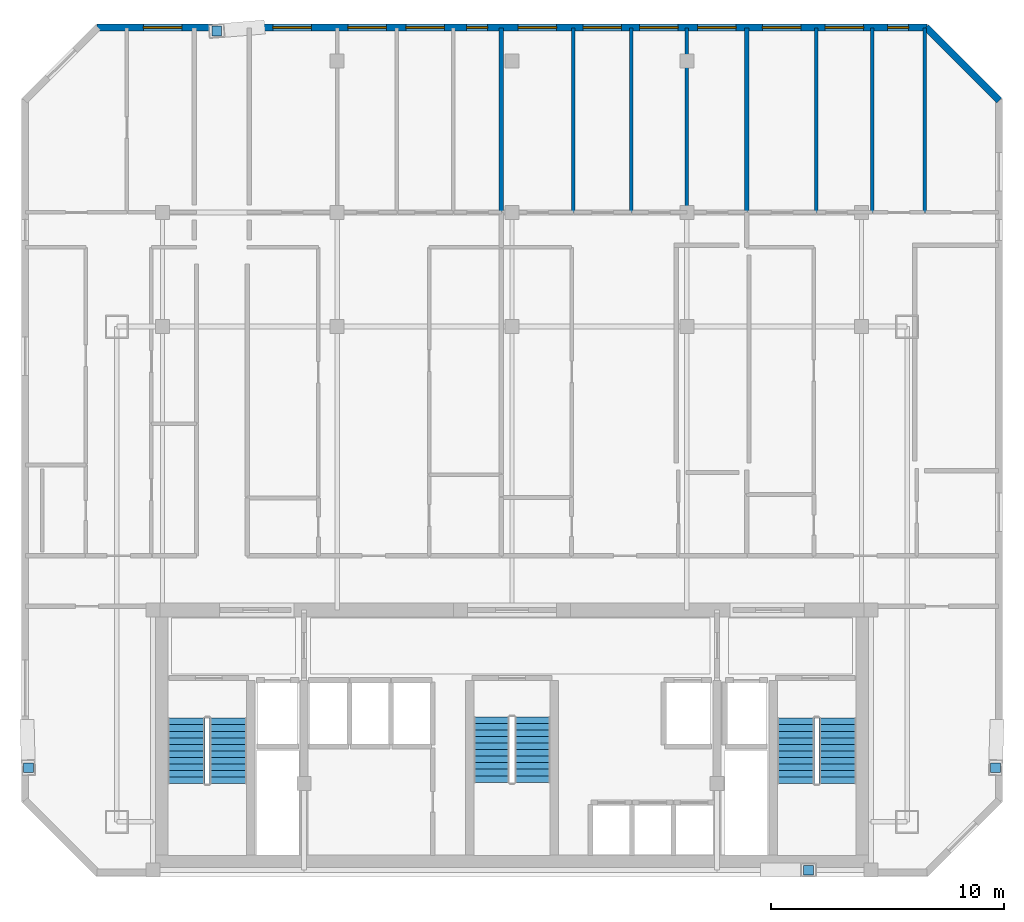
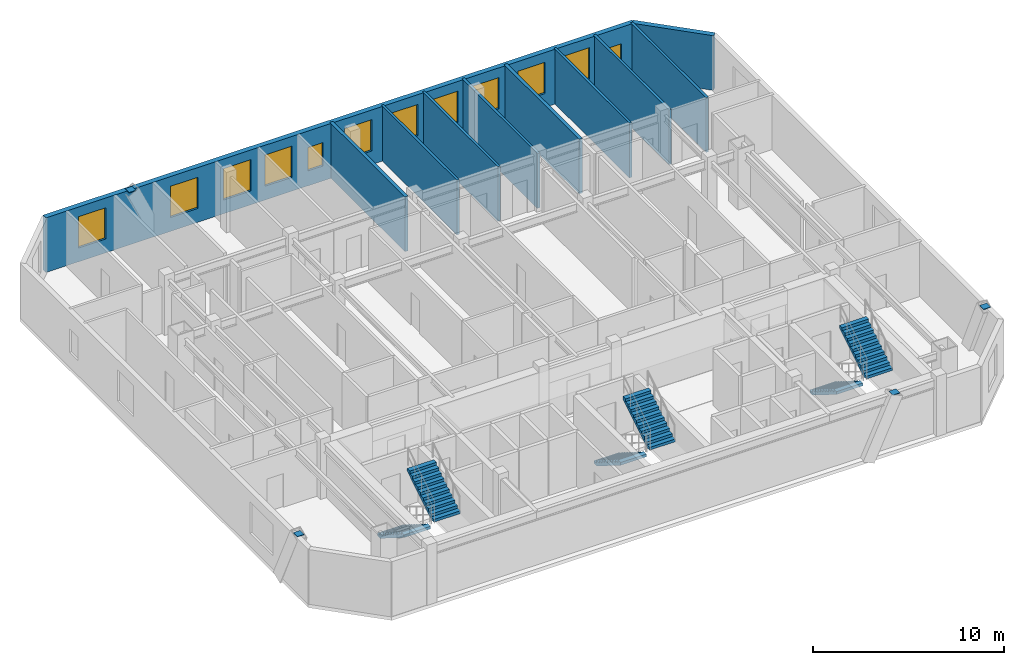
# One storey, part 6 of 7: 12 windows, 10 walls, 6 stair flights, 4 discrete accessories, 12 openings, 3 elements without a shape of their own.
"""IFC4 building model written with IfcOpenShell, lengths in metres."""

from ifc_helpers import new_model, si_unit, direction, frame, frame_2d, origin, origin_2d, place, context, subcontext, project, spatial, polyline, rectangle, outline, extrude, material, layer, layer_set, type_object, element, fill, aggregate, save


model = new_model("IFC4")

# Units and contexts
model_context = context("Model", 3, precision=1e-05, world=origin(), true_north=direction((0.0, 1.0)))
body_context = subcontext(model_context, "Body", "Model", "MODEL_VIEW")
ifc_project = project(units=[si_unit("LENGTHUNIT", "METRE"), si_unit("AREAUNIT", "SQUARE_METRE"), si_unit("VOLUMEUNIT", "CUBIC_METRE"), si_unit("PLANEANGLEUNIT", "RADIAN"), si_unit("MASSUNIT", "GRAM", prefix="KILO")], contexts=[model_context])

# Site, building, storey
site_placement = place(None, origin())
site = spatial("IfcSite", under=ifc_project, at=site_placement, CompositionType="ELEMENT")
building_placement = place(site_placement, origin())
building = spatial("IfcBuilding", under=site, at=building_placement, Name="Ventersveld Concourse Tower", CompositionType="ELEMENT")
storey_placement = place(building_placement, frame((0.0, 0.0, 242.64990234375)))
storey = spatial("IfcBuildingStorey", under=building, at=storey_placement, Name="L60", CompositionType="ELEMENT", Elevation=242.64990234375)

# Walls
ifc_material_1 = material(Name="Fire-rated autoclaved aerated masonry blockwork", Category="masonry")
ifc_layer_1 = layer(ifc_material_1, 0.199951171875)
ifc_layer_set_1 = layer_set([ifc_layer_1], Name="Fire-rated autoclaved aerated masonry blockwork")
wall_type_1 = type_object("IfcWallType", Name="WL-DEMISE-200", PredefinedType="PARTITIONING", material=ifc_layer_set_1)
for number, where, z_axis, x_axis, name in (
    (1, (28.2880859375, 28.534912109375, 0.0), (0.0, 0.0, 1.0), (0.0, 1.0, 0.0), "L60 Interior Partition SP-L60-60N1-BR4-SP-L60-60N2-BR1"),
    (2, (38.823486328125, 28.534912109375, 0.0), (0.0, 0.0, 1.0), (0.0, 1.0, 0.0), "L60 Interior Partition SP-L60-60N2-BR4-SP-L60-60N3-BR1"),
):
    element("IfcWall", number, at=place(storey_placement, frame(where, z_axis=z_axis, x_axis=x_axis)), inside=storey, type_object=wall_type_1, Name=name, PredefinedType="PARTITIONING", context=body_context, shape_type="SweptSolid", body=[
        extrude(rectangle(XDim=7.875732421875, YDim=0.199951171875, at=frame_2d((3.93798828125, 0.0))), origin(), (0.0, 0.0, 1.0), 3.5),
    ])
ifc_material_2 = material(Name="Autoclaved aerated masonry blockwork", Category="masonry")
ifc_layer_2 = layer(ifc_material_2, 0.14990234375)
ifc_layer_set_2 = layer_set([ifc_layer_2], Name="Autoclaved aerated masonry blockwork")
wall_type_2 = type_object("IfcWallType", Name="WL-INT-150", PredefinedType="PARTITIONING", material=ifc_layer_set_2)
for number, where, z_axis, x_axis, name in (
    (3, (31.382080078125, 28.4951171875, 0.0), (0.0, 0.0, 1.0), (0.0, 1.0, 0.0), "L60 Interior Partition SP-L60-60N2-BR1-SP-L60-60N2-BR2"),
    (4, (33.862548828125, 28.4951171875, 0.0), (0.0, 0.0, 1.0), (0.0, 1.0, 0.0), "L60 Interior Partition SP-L60-60N2-BR2-SP-L60-60N2-BR3"),
    (5, (36.25, 28.4951171875, 0.0), (0.0, 0.0, 1.0), (0.0, 1.0, 0.0), "L60 Interior Partition SP-L60-60N2-BR3-SP-L60-60N2-BR4"),
    (6, (41.81005859375, 28.4951171875, 0.0), (0.0, 0.0, 1.0), (0.0, 1.0, 0.0), "L60 Interior Partition SP-L60-60N3-BR1-SP-L60-60N3-BR2"),
    (7, (44.20556640625, 28.4951171875, 0.0), (0.0, 0.0, 1.0), (0.0, 1.0, 0.0), "L60 Interior Partition SP-L60-60N3-BR2-SP-L60-60N3-BR3"),
    (8, (46.45361328125, 28.4951171875, 0.0), (0.0, 0.0, 1.0), (0.0, 1.0, 0.0), "L60 Interior Partition SP-L60-60N3-BR3-SP-L60-60N3-BR4"),
):
    element("IfcWall", number, at=place(storey_placement, frame(where, z_axis=z_axis, x_axis=x_axis)), inside=storey, type_object=wall_type_2, Name=name, PredefinedType="PARTITIONING", context=body_context, shape_type="SweptSolid", body=[
        extrude(rectangle(XDim=7.91552734375, YDim=0.14990234375, at=frame_2d((3.957763671875, 0.0))), origin(), (0.0, 0.0, 1.0), 3.5),
    ])
ifc_material_3 = material(Name="Precast concrete C45/55", Category="concrete")
ifc_layer_3 = layer(ifc_material_3, 0.300048828125)
ifc_layer_set_3 = layer_set([ifc_layer_3], Name="Precast concrete C45/55")
wall_type_3 = type_object("IfcWallType", Name="WL-PREC-300", PredefinedType="SOLIDWALL", material=ifc_layer_set_3)
wall_1_placement = place(storey_placement, frame((49.65234375, 33.305419921875, 0.0), z_axis=(0.0, 0.0, 1.0), x_axis=(-0.707134240044, 0.707079321262, 0.0)))
element("IfcWall", 9, at=wall_1_placement, inside=storey, type_object=wall_type_3, Name="L60 Highveld Precast Facade Wall E04", PredefinedType="SOLIDWALL", context=body_context, shape_type="SweptSolid", body=[
    extrude(rectangle(XDim=4.445556640625, YDim=0.300048828125, at=frame_2d((2.22265625, 0.0))), origin(), (0.0, 0.0, 1.0), 3.5),
])

# Wall, openings, windows
wall_2_placement = place(storey_placement, frame((46.546630859375, 36.43310546875, 0.0), z_axis=(0.0, 0.0, 1.0), x_axis=(-1.0, 0.0, 0.0)))
wall_2 = element("IfcWall", 10, at=wall_2_placement, inside=storey, type_object=wall_type_3, Name="L60 Highveld Precast Facade Wall E05", PredefinedType="SOLIDWALL", context=body_context, shape_type="SweptSolid", body=[
    extrude(rectangle(XDim=35.59326171875, YDim=0.300048828125, at=frame_2d((17.796630859375, 0.0))), origin(), (0.0, 0.0, 1.0), 3.5),
])
opening_1_placement = place(wall_2_placement, frame((31.9658203125, 0.0, 0.8798828125)))
opening_1 = element("IfcOpeningElement", 11, at=opening_1_placement, cuts=wall_2, Name="Opening W6", PredefinedType="OPENING", context=body_context, shape_type="SweptSolid", body=[
    extrude(rectangle(XDim=1.64990234375, YDim=2.0, at=frame_2d((0.824951171875, 1.0))), frame((0.0, 0.16015625, 0.0), z_axis=(0.0, -1.0, 0.0), x_axis=(1.0, 0.0, 0.0)), (0.0, 0.0, 1.0), 0.320068359375),
])
opening_2_placement = place(wall_2_placement, frame((26.401611328125, 0.0, 0.8798828125)))
opening_2 = element("IfcOpeningElement", 12, at=opening_2_placement, cuts=wall_2, Name="Opening W6", PredefinedType="OPENING", context=body_context, shape_type="SweptSolid", body=[
    extrude(rectangle(XDim=1.64990234375, YDim=2.0, at=frame_2d((0.824951171875, 1.0))), frame((0.0, 0.16015625, 0.0), z_axis=(0.0, -1.0, 0.0), x_axis=(1.0, 0.0, 0.0)), (0.0, 0.0, 1.0), 0.320068359375),
])
opening_3_placement = place(wall_2_placement, frame((23.18896484375, 0.0, 0.8798828125)))
opening_3 = element("IfcOpeningElement", 13, at=opening_3_placement, cuts=wall_2, Name="Opening W6", PredefinedType="OPENING", context=body_context, shape_type="SweptSolid", body=[
    extrude(rectangle(XDim=1.64990234375, YDim=2.0, at=frame_2d((0.824951171875, 1.0))), frame((0.0, 0.16015625, 0.0), z_axis=(0.0, -1.0, 0.0), x_axis=(1.0, 0.0, 0.0)), (0.0, 0.0, 1.0), 0.320068359375),
])
opening_4_placement = place(wall_2_placement, frame((20.702880859375, 0.0, 0.8798828125)))
opening_4 = element("IfcOpeningElement", 14, at=opening_4_placement, cuts=wall_2, Name="Opening W6", PredefinedType="OPENING", context=body_context, shape_type="SweptSolid", body=[
    extrude(rectangle(XDim=1.64990234375, YDim=2.0, at=frame_2d((0.824951171875, 1.0))), frame((0.0, 0.16015625, 0.0), z_axis=(0.0, -1.0, 0.0), x_axis=(1.0, 0.0, 0.0)), (0.0, 0.0, 1.0), 0.320068359375),
])
opening_5_placement = place(wall_2_placement, frame((18.841796875, 0.0, 0.949951171875)))
opening_5 = element("IfcOpeningElement", 15, at=opening_5_placement, cuts=wall_2, Name="Opening W4", PredefinedType="OPENING", context=body_context, shape_type="SweptSolid", body=[
    extrude(rectangle(XDim=0.89990234375, YDim=1.5, at=frame_2d((0.449951171875, 0.75))), frame((0.0, 0.16015625, 0.0), z_axis=(0.0, -1.0, 0.0), x_axis=(1.0, 0.0, 0.0)), (0.0, 0.0, 1.0), 0.320068359375),
])
opening_6_placement = place(wall_2_placement, frame((15.88671875, 0.0, 0.8798828125)))
opening_6 = element("IfcOpeningElement", 16, at=opening_6_placement, cuts=wall_2, Name="Opening W6", PredefinedType="OPENING", context=body_context, shape_type="SweptSolid", body=[
    extrude(rectangle(XDim=1.64990234375, YDim=2.0, at=frame_2d((0.824951171875, 1.0))), frame((0.0, 0.16015625, 0.0), z_axis=(0.0, -1.0, 0.0), x_axis=(1.0, 0.0, 0.0)), (0.0, 0.0, 1.0), 0.320068359375),
])
opening_7_placement = place(wall_2_placement, frame((13.099609375, 0.0, 0.8798828125)))
opening_7 = element("IfcOpeningElement", 17, at=opening_7_placement, cuts=wall_2, Name="Opening W6", PredefinedType="OPENING", context=body_context, shape_type="SweptSolid", body=[
    extrude(rectangle(XDim=1.64990234375, YDim=2.0, at=frame_2d((0.824951171875, 1.0))), frame((0.0, 0.16015625, 0.0), z_axis=(0.0, -1.0, 0.0), x_axis=(1.0, 0.0, 0.0)), (0.0, 0.0, 1.0), 0.320068359375),
])
opening_8_placement = place(wall_2_placement, frame((10.66552734375, 0.0, 0.8798828125)))
opening_8 = element("IfcOpeningElement", 18, at=opening_8_placement, cuts=wall_2, Name="Opening W6", PredefinedType="OPENING", context=body_context, shape_type="SweptSolid", body=[
    extrude(rectangle(XDim=1.64990234375, YDim=2.0, at=frame_2d((0.824951171875, 1.0))), frame((0.0, 0.16015625, 0.0), z_axis=(0.0, -1.0, 0.0), x_axis=(1.0, 0.0, 0.0)), (0.0, 0.0, 1.0), 0.320068359375),
])
opening_9_placement = place(wall_2_placement, frame((8.184814453125, 0.0, 0.8798828125)))
opening_9 = element("IfcOpeningElement", 19, at=opening_9_placement, cuts=wall_2, Name="Opening W6", PredefinedType="OPENING", context=body_context, shape_type="SweptSolid", body=[
    extrude(rectangle(XDim=1.64990234375, YDim=2.0, at=frame_2d((0.824951171875, 1.0))), frame((0.0, 0.16015625, 0.0), z_axis=(0.0, -1.0, 0.0), x_axis=(1.0, 0.0, 0.0)), (0.0, 0.0, 1.0), 0.320068359375),
])
opening_10_placement = place(wall_2_placement, frame((5.40478515625, 0.0, 0.8798828125)))
opening_10 = element("IfcOpeningElement", 20, at=opening_10_placement, cuts=wall_2, Name="Opening W6", PredefinedType="OPENING", context=body_context, shape_type="SweptSolid", body=[
    extrude(rectangle(XDim=1.64990234375, YDim=2.0, at=frame_2d((0.824951171875, 1.0))), frame((0.0, 0.16015625, 0.0), z_axis=(0.0, -1.0, 0.0), x_axis=(1.0, 0.0, 0.0)), (0.0, 0.0, 1.0), 0.320068359375),
])
opening_11_placement = place(wall_2_placement, frame((2.7138671875, 0.0, 0.8798828125)))
opening_11 = element("IfcOpeningElement", 21, at=opening_11_placement, cuts=wall_2, Name="Opening W6", PredefinedType="OPENING", context=body_context, shape_type="SweptSolid", body=[
    extrude(rectangle(XDim=1.64990234375, YDim=2.0, at=frame_2d((0.824951171875, 1.0))), frame((0.0, 0.16015625, 0.0), z_axis=(0.0, -1.0, 0.0), x_axis=(1.0, 0.0, 0.0)), (0.0, 0.0, 1.0), 0.320068359375),
])
opening_12_placement = place(wall_2_placement, frame((0.780029296875, 0.0, 0.949951171875)))
opening_12 = element("IfcOpeningElement", 22, at=opening_12_placement, cuts=wall_2, Name="Opening W4", PredefinedType="OPENING", context=body_context, shape_type="SweptSolid", body=[
    extrude(rectangle(XDim=0.89990234375, YDim=1.5, at=frame_2d((0.449951171875, 0.75))), frame((0.0, 0.16015625, 0.0), z_axis=(0.0, -1.0, 0.0), x_axis=(1.0, 0.0, 0.0)), (0.0, 0.0, 1.0), 0.320068359375),
])
ifc_material_4 = material(Name="Tempered acoustic Low-E IGU", Category="glass")
window_type_1 = type_object("IfcWindowType", Name="WIN-090x150", PartitioningType="SINGLE_PANEL", PredefinedType="WINDOW", material=ifc_material_4)
window_1_placement = place(opening_5_placement, origin())
window_1 = element("IfcWindow", 23, at=window_1_placement, inside=storey, type_object=window_type_1, Name="L60 Punched Low-E Window W-0868", OverallHeight=1.5, OverallWidth=0.89990234375, PartitioningType="SINGLE_PANEL", PredefinedType="WINDOW", context=body_context, shape_type="SweptSolid", body=[
    extrude(rectangle(XDim=0.89990234375, YDim=1.5, at=frame_2d((0.449951171875, 0.75))), frame((0.0, 0.030029296875, 0.0), z_axis=(0.0, -1.0, 0.0), x_axis=(1.0, 0.0, 0.0)), (0.0, 0.0, 1.0), 0.06005859375),
])
fill(opening_5, window_1)
window_2_placement = place(opening_12_placement, origin())
window_2 = element("IfcWindow", 24, at=window_2_placement, inside=storey, type_object=window_type_1, Name="L60 Punched Low-E Window W-0877", OverallHeight=1.5, OverallWidth=0.89990234375, PartitioningType="SINGLE_PANEL", PredefinedType="WINDOW", context=body_context, shape_type="SweptSolid", body=[
    extrude(rectangle(XDim=0.89990234375, YDim=1.5, at=frame_2d((0.449951171875, 0.75))), frame((0.0, 0.030029296875, 0.0), z_axis=(0.0, -1.0, 0.0), x_axis=(1.0, 0.0, 0.0)), (0.0, 0.0, 1.0), 0.06005859375),
])
fill(opening_12, window_2)
window_type_2 = type_object("IfcWindowType", Name="WIN-165x200", PartitioningType="SINGLE_PANEL", PredefinedType="WINDOW", material=ifc_material_4)
window_3_placement = place(opening_1_placement, origin())
window_3 = element("IfcWindow", 25, at=window_3_placement, inside=storey, type_object=window_type_2, Name="L60 Punched Low-E Window W-0864", OverallHeight=2.0, OverallWidth=1.64990234375, PartitioningType="SINGLE_PANEL", PredefinedType="WINDOW", context=body_context, shape_type="SweptSolid", body=[
    extrude(rectangle(XDim=1.64990234375, YDim=2.0, at=frame_2d((0.824951171875, 1.0))), frame((0.0, 0.030029296875, 0.0), z_axis=(0.0, -1.0, 0.0), x_axis=(1.0, 0.0, 0.0)), (0.0, 0.0, 1.0), 0.06005859375),
])
fill(opening_1, window_3)
window_4_placement = place(opening_2_placement, origin())
window_4 = element("IfcWindow", 26, at=window_4_placement, inside=storey, type_object=window_type_2, Name="L60 Punched Low-E Window W-0865", OverallHeight=2.0, OverallWidth=1.64990234375, PartitioningType="SINGLE_PANEL", PredefinedType="WINDOW", context=body_context, shape_type="SweptSolid", body=[
    extrude(rectangle(XDim=1.64990234375, YDim=2.0, at=frame_2d((0.824951171875, 1.0))), frame((0.0, 0.030029296875, 0.0), z_axis=(0.0, -1.0, 0.0), x_axis=(1.0, 0.0, 0.0)), (0.0, 0.0, 1.0), 0.06005859375),
])
fill(opening_2, window_4)
window_5_placement = place(opening_3_placement, origin())
window_5 = element("IfcWindow", 27, at=window_5_placement, inside=storey, type_object=window_type_2, Name="L60 Punched Low-E Window W-0866", OverallHeight=2.0, OverallWidth=1.64990234375, PartitioningType="SINGLE_PANEL", PredefinedType="WINDOW", context=body_context, shape_type="SweptSolid", body=[
    extrude(rectangle(XDim=1.64990234375, YDim=2.0, at=frame_2d((0.824951171875, 1.0))), frame((0.0, 0.030029296875, 0.0), z_axis=(0.0, -1.0, 0.0), x_axis=(1.0, 0.0, 0.0)), (0.0, 0.0, 1.0), 0.06005859375),
])
fill(opening_3, window_5)
window_6_placement = place(opening_4_placement, origin())
window_6 = element("IfcWindow", 28, at=window_6_placement, inside=storey, type_object=window_type_2, Name="L60 Punched Low-E Window W-0867", OverallHeight=2.0, OverallWidth=1.64990234375, PartitioningType="SINGLE_PANEL", PredefinedType="WINDOW", context=body_context, shape_type="SweptSolid", body=[
    extrude(rectangle(XDim=1.64990234375, YDim=2.0, at=frame_2d((0.824951171875, 1.0))), frame((0.0, 0.030029296875, 0.0), z_axis=(0.0, -1.0, 0.0), x_axis=(1.0, 0.0, 0.0)), (0.0, 0.0, 1.0), 0.06005859375),
])
fill(opening_4, window_6)
window_7_placement = place(opening_6_placement, origin())
window_7 = element("IfcWindow", 29, at=window_7_placement, inside=storey, type_object=window_type_2, Name="L60 Punched Low-E Window W-0869", OverallHeight=2.0, OverallWidth=1.64990234375, PartitioningType="SINGLE_PANEL", PredefinedType="WINDOW", context=body_context, shape_type="SweptSolid", body=[
    extrude(rectangle(XDim=1.64990234375, YDim=2.0, at=frame_2d((0.824951171875, 1.0))), frame((0.0, 0.030029296875, 0.0), z_axis=(0.0, -1.0, 0.0), x_axis=(1.0, 0.0, 0.0)), (0.0, 0.0, 1.0), 0.06005859375),
])
fill(opening_6, window_7)
window_8_placement = place(opening_7_placement, origin())
window_8 = element("IfcWindow", 30, at=window_8_placement, inside=storey, type_object=window_type_2, Name="L60 Punched Low-E Window W-0870", OverallHeight=2.0, OverallWidth=1.64990234375, PartitioningType="SINGLE_PANEL", PredefinedType="WINDOW", context=body_context, shape_type="SweptSolid", body=[
    extrude(rectangle(XDim=1.64990234375, YDim=2.0, at=frame_2d((0.824951171875, 1.0))), frame((0.0, 0.030029296875, 0.0), z_axis=(0.0, -1.0, 0.0), x_axis=(1.0, 0.0, 0.0)), (0.0, 0.0, 1.0), 0.06005859375),
])
fill(opening_7, window_8)
window_9_placement = place(opening_8_placement, origin())
window_9 = element("IfcWindow", 31, at=window_9_placement, inside=storey, type_object=window_type_2, Name="L60 Punched Low-E Window W-0871", OverallHeight=2.0, OverallWidth=1.64990234375, PartitioningType="SINGLE_PANEL", PredefinedType="WINDOW", context=body_context, shape_type="SweptSolid", body=[
    extrude(rectangle(XDim=1.64990234375, YDim=2.0, at=frame_2d((0.824951171875, 1.0))), frame((0.0, 0.030029296875, 0.0), z_axis=(0.0, -1.0, 0.0), x_axis=(1.0, 0.0, 0.0)), (0.0, 0.0, 1.0), 0.06005859375),
])
fill(opening_8, window_9)
window_10_placement = place(opening_9_placement, origin())
window_10 = element("IfcWindow", 32, at=window_10_placement, inside=storey, type_object=window_type_2, Name="L60 Punched Low-E Window W-0872", OverallHeight=2.0, OverallWidth=1.64990234375, PartitioningType="SINGLE_PANEL", PredefinedType="WINDOW", context=body_context, shape_type="SweptSolid", body=[
    extrude(rectangle(XDim=1.64990234375, YDim=2.0, at=frame_2d((0.824951171875, 1.0))), frame((0.0, 0.030029296875, 0.0), z_axis=(0.0, -1.0, 0.0), x_axis=(1.0, 0.0, 0.0)), (0.0, 0.0, 1.0), 0.06005859375),
])
fill(opening_9, window_10)
window_11_placement = place(opening_10_placement, origin())
window_11 = element("IfcWindow", 33, at=window_11_placement, inside=storey, type_object=window_type_2, Name="L60 Punched Low-E Window W-0875", OverallHeight=2.0, OverallWidth=1.64990234375, PartitioningType="SINGLE_PANEL", PredefinedType="WINDOW", context=body_context, shape_type="SweptSolid", body=[
    extrude(rectangle(XDim=1.64990234375, YDim=2.0, at=frame_2d((0.824951171875, 1.0))), frame((0.0, 0.030029296875, 0.0), z_axis=(0.0, -1.0, 0.0), x_axis=(1.0, 0.0, 0.0)), (0.0, 0.0, 1.0), 0.06005859375),
])
fill(opening_10, window_11)
window_12_placement = place(opening_11_placement, origin())
window_12 = element("IfcWindow", 34, at=window_12_placement, inside=storey, type_object=window_type_2, Name="L60 Punched Low-E Window W-0876", OverallHeight=2.0, OverallWidth=1.64990234375, PartitioningType="SINGLE_PANEL", PredefinedType="WINDOW", context=body_context, shape_type="SweptSolid", body=[
    extrude(rectangle(XDim=1.64990234375, YDim=2.0, at=frame_2d((0.824951171875, 1.0))), frame((0.0, 0.030029296875, 0.0), z_axis=(0.0, -1.0, 0.0), x_axis=(1.0, 0.0, 0.0)), (0.0, 0.0, 1.0), 0.06005859375),
])
fill(opening_11, window_12)

# Stair, stair flights
ifc_material_5 = material(Name="Concrete C50/60", Category="concrete")
stair_type_1 = type_object("IfcStairType", Name="ST-DOG-155", PredefinedType="HALF_TURN_STAIR", material=ifc_material_5)
stair_1_placement = place(storey_placement, origin())
stair_1 = element("IfcStair", 35, at=stair_1_placement, inside=storey, type_object=stair_type_1, Name="L60 Protected Central Core Escape Stair ST-03", PredefinedType="HALF_TURN_STAIR")
stair_flight_type_1 = type_object("IfcStairFlightType", Name="STF-RC-155", PredefinedType="STRAIGHT", material=ifc_material_5)
stair_flight_1_placement = place(storey_placement, frame((27.875, 6.85009765625, 0.0), z_axis=(0.0, 0.0, 1.0), x_axis=(0.0, -1.0, 0.0)))
stair_flight_1 = element("IfcStairFlight", 36, at=stair_flight_1_placement, type_object=stair_flight_type_1, Name="ST-03 flight 1", NumberOfRisers=11, NumberOfTreads=10, PredefinedType="STRAIGHT", RiserHeight=0.175, TreadLength=0.28, context=body_context, shape_type="SweptSolid", body=[
    extrude(outline(polyline([(0.0, 0.0), (0.0, 0.175048828125), (0.280029296875, 0.175048828125), (0.280029296875, 0.35009765625), (0.56005859375, 0.35009765625), (0.56005859375, 0.52490234375), (0.840087890625, 0.52490234375), (0.840087890625, 0.699951171875), (1.1201171875, 0.699951171875), (1.1201171875, 0.875), (1.39990234375, 0.875), (1.39990234375, 1.050048828125), (1.679931640625, 1.050048828125), (1.679931640625, 1.22509765625), (1.9599609375, 1.22509765625), (1.9599609375, 1.39990234375), (2.239990234375, 1.39990234375), (2.239990234375, 1.574951171875), (2.52001953125, 1.574951171875), (2.52001953125, 1.75), (2.800048828125, 1.75), (2.800048828125, 1.925048828125), (2.800048828125, 1.5732421875), (0.28271484375, 0.0), (0.0, 0.0)])), frame((0.0, 0.77490234375, 0.0), z_axis=(0.0, -1.0, 0.0), x_axis=(1.0, 0.0, 0.0)), (0.0, 0.0, 1.0), 1.550048828125),
])
stair_flight_2_placement = place(storey_placement, frame((29.625, 4.050048828125, 1.925048828125), z_axis=(0.0, 0.0, 1.0), x_axis=(0.0, 1.0, 0.0)))
stair_flight_2 = element("IfcStairFlight", 37, at=stair_flight_2_placement, type_object=stair_flight_type_1, Name="ST-03 flight 2", NumberOfRisers=11, NumberOfTreads=10, PredefinedType="STRAIGHT", RiserHeight=0.175, TreadLength=0.28, context=body_context, shape_type="SweptSolid", body=[
    extrude(outline(polyline([(0.0, 0.0), (0.0, 0.175048828125), (0.280029296875, 0.175048828125), (0.280029296875, 0.35009765625), (0.56005859375, 0.35009765625), (0.56005859375, 0.52490234375), (0.840087890625, 0.52490234375), (0.840087890625, 0.699951171875), (1.1201171875, 0.699951171875), (1.1201171875, 0.875), (1.39990234375, 0.875), (1.39990234375, 1.050048828125), (1.679931640625, 1.050048828125), (1.679931640625, 1.22509765625), (1.9599609375, 1.22509765625), (1.9599609375, 1.39990234375), (2.239990234375, 1.39990234375), (2.239990234375, 1.574951171875), (2.52001953125, 1.574951171875), (2.52001953125, 1.75), (2.800048828125, 1.75), (2.800048828125, 1.925048828125), (2.800048828125, 1.5732421875), (0.28271484375, 0.0), (0.0, 0.0)])), frame((0.0, 0.77490234375, 0.0), z_axis=(0.0, -1.0, 0.0), x_axis=(1.0, 0.0, 0.0)), (0.0, 0.0, 1.0), 1.550048828125),
])
aggregate(stair_1, [stair_flight_1, stair_flight_2])

stair_type_2 = type_object("IfcStairType", Name="ST-DOG-160", PredefinedType="HALF_TURN_STAIR", material=ifc_material_5)
stair_2_placement = place(storey_placement, origin())
stair_2 = element("IfcStair", 38, at=stair_2_placement, inside=storey, type_object=stair_type_2, Name="L60 Protected Tower Escape Stair ST-01", PredefinedType="HALF_TURN_STAIR")
stair_flight_type_2 = type_object("IfcStairFlightType", Name="STF-RC-160", PredefinedType="STRAIGHT", material=ifc_material_5)
stair_flight_3_placement = place(storey_placement, frame((14.780029296875, 6.800048828125, 0.0), z_axis=(0.0, 0.0, 1.0), x_axis=(0.0, -1.0, 0.0)))
stair_flight_3 = element("IfcStairFlight", 39, at=stair_flight_3_placement, type_object=stair_flight_type_2, Name="ST-01 flight 1", NumberOfRisers=11, NumberOfTreads=10, PredefinedType="STRAIGHT", RiserHeight=0.175, TreadLength=0.28, context=body_context, shape_type="SweptSolid", body=[
    extrude(outline(polyline([(0.0, 0.0), (0.0, 0.175048828125), (0.280029296875, 0.175048828125), (0.280029296875, 0.35009765625), (0.56005859375, 0.35009765625), (0.56005859375, 0.52490234375), (0.840087890625, 0.52490234375), (0.840087890625, 0.699951171875), (1.1201171875, 0.699951171875), (1.1201171875, 0.875), (1.39990234375, 0.875), (1.39990234375, 1.050048828125), (1.679931640625, 1.050048828125), (1.679931640625, 1.22509765625), (1.9599609375, 1.22509765625), (1.9599609375, 1.39990234375), (2.239990234375, 1.39990234375), (2.239990234375, 1.574951171875), (2.52001953125, 1.574951171875), (2.52001953125, 1.75), (2.800048828125, 1.75), (2.800048828125, 1.925048828125), (2.800048828125, 1.5732421875), (0.28271484375, 0.0), (0.0, 0.0)])), frame((0.0, 0.800048828125, 0.0), z_axis=(0.0, -1.0, 0.0), x_axis=(1.0, 0.0, 0.0)), (0.0, 0.0, 1.0), 1.60009765625),
])
stair_flight_4_placement = place(storey_placement, frame((16.580078125, 4.0, 1.925048828125), z_axis=(0.0, 0.0, 1.0), x_axis=(0.0, 1.0, 0.0)))
stair_flight_4 = element("IfcStairFlight", 40, at=stair_flight_4_placement, type_object=stair_flight_type_2, Name="ST-01 flight 2", NumberOfRisers=11, NumberOfTreads=10, PredefinedType="STRAIGHT", RiserHeight=0.175, TreadLength=0.28, context=body_context, shape_type="SweptSolid", body=[
    extrude(outline(polyline([(0.0, 0.0), (0.0, 0.175048828125), (0.280029296875, 0.175048828125), (0.280029296875, 0.35009765625), (0.56005859375, 0.35009765625), (0.56005859375, 0.52490234375), (0.840087890625, 0.52490234375), (0.840087890625, 0.699951171875), (1.1201171875, 0.699951171875), (1.1201171875, 0.875), (1.39990234375, 0.875), (1.39990234375, 1.050048828125), (1.679931640625, 1.050048828125), (1.679931640625, 1.22509765625), (1.9599609375, 1.22509765625), (1.9599609375, 1.39990234375), (2.239990234375, 1.39990234375), (2.239990234375, 1.574951171875), (2.52001953125, 1.574951171875), (2.52001953125, 1.75), (2.800048828125, 1.75), (2.800048828125, 1.925048828125), (2.800048828125, 1.5732421875), (0.28271484375, 0.0), (0.0, 0.0)])), frame((0.0, 0.800048828125, 0.0), z_axis=(0.0, -1.0, 0.0), x_axis=(1.0, 0.0, 0.0)), (0.0, 0.0, 1.0), 1.60009765625),
])
aggregate(stair_2, [stair_flight_3, stair_flight_4])

stair_3_placement = place(storey_placement, origin())
stair_3 = element("IfcStair", 41, at=stair_3_placement, inside=storey, type_object=stair_type_2, Name="L60 Protected Tower Escape Stair ST-02", PredefinedType="HALF_TURN_STAIR")
stair_flight_5_placement = place(storey_placement, frame((40.919921875, 6.800048828125, 0.0), z_axis=(0.0, 0.0, 1.0), x_axis=(0.0, -1.0, 0.0)))
stair_flight_5 = element("IfcStairFlight", 42, at=stair_flight_5_placement, type_object=stair_flight_type_2, Name="ST-02 flight 1", NumberOfRisers=11, NumberOfTreads=10, PredefinedType="STRAIGHT", RiserHeight=0.175, TreadLength=0.28, context=body_context, shape_type="SweptSolid", body=[
    extrude(outline(polyline([(0.0, 0.0), (0.0, 0.175048828125), (0.280029296875, 0.175048828125), (0.280029296875, 0.35009765625), (0.56005859375, 0.35009765625), (0.56005859375, 0.52490234375), (0.840087890625, 0.52490234375), (0.840087890625, 0.699951171875), (1.1201171875, 0.699951171875), (1.1201171875, 0.875), (1.39990234375, 0.875), (1.39990234375, 1.050048828125), (1.679931640625, 1.050048828125), (1.679931640625, 1.22509765625), (1.9599609375, 1.22509765625), (1.9599609375, 1.39990234375), (2.239990234375, 1.39990234375), (2.239990234375, 1.574951171875), (2.52001953125, 1.574951171875), (2.52001953125, 1.75), (2.800048828125, 1.75), (2.800048828125, 1.925048828125), (2.800048828125, 1.5732421875), (0.28271484375, 0.0), (0.0, 0.0)])), frame((0.0, 0.800048828125, 0.0), z_axis=(0.0, -1.0, 0.0), x_axis=(1.0, 0.0, 0.0)), (0.0, 0.0, 1.0), 1.60009765625),
])
stair_flight_6_placement = place(storey_placement, frame((42.719970703125, 4.0, 1.925048828125), z_axis=(0.0, 0.0, 1.0), x_axis=(0.0, 1.0, 0.0)))
stair_flight_6 = element("IfcStairFlight", 43, at=stair_flight_6_placement, type_object=stair_flight_type_2, Name="ST-02 flight 2", NumberOfRisers=11, NumberOfTreads=10, PredefinedType="STRAIGHT", RiserHeight=0.175, TreadLength=0.28, context=body_context, shape_type="SweptSolid", body=[
    extrude(outline(polyline([(0.0, 0.0), (0.0, 0.175048828125), (0.280029296875, 0.175048828125), (0.280029296875, 0.35009765625), (0.56005859375, 0.35009765625), (0.56005859375, 0.52490234375), (0.840087890625, 0.52490234375), (0.840087890625, 0.699951171875), (1.1201171875, 0.699951171875), (1.1201171875, 0.875), (1.39990234375, 0.875), (1.39990234375, 1.050048828125), (1.679931640625, 1.050048828125), (1.679931640625, 1.22509765625), (1.9599609375, 1.22509765625), (1.9599609375, 1.39990234375), (2.239990234375, 1.39990234375), (2.239990234375, 1.574951171875), (2.52001953125, 1.574951171875), (2.52001953125, 1.75), (2.800048828125, 1.75), (2.800048828125, 1.925048828125), (2.800048828125, 1.5732421875), (0.28271484375, 0.0), (0.0, 0.0)])), frame((0.0, 0.800048828125, 0.0), z_axis=(0.0, -1.0, 0.0), x_axis=(1.0, 0.0, 0.0)), (0.0, 0.0, 1.0), 1.60009765625),
])
aggregate(stair_3, [stair_flight_5, stair_flight_6])

# Discrete accessories
ifc_material_6 = material(Name="Structural steel S355J2", Category="steel")
discrete_accessory_type = type_object("IfcDiscreteAccessoryType", Name="CONN-BRACE-ECP1", PredefinedType="BRACKET", material=ifc_material_6)
for number, where, z_axis, x_axis, name in (
    (44, (16.078369140625, 36.2890625, 3.47998046875), (0.0, 0.0, 1.0), (1.0, 0.0, 0.0), "L60 Steel Brace End Connection Plate ECP1-0422"),
    (45, (41.4716796875, 0.280029296875, 3.47998046875), (0.0, 0.0, 1.0), (1.0, 0.0, 0.0), "L60 Steel Brace End Connection Plate ECP1-0426"),
    (46, (7.998291015625, 4.678466796875, 3.47998046875), (0.0, 0.0, 1.0), (1.0, 0.0, 0.0), "L60 Steel Brace End Connection Plate ECP1-0430"),
    (47, (49.501708984375, 4.678466796875, 3.47998046875), (0.0, 0.0, 1.0), (1.0, 0.0, 0.0), "L60 Steel Brace End Connection Plate ECP1-0434"),
):
    element("IfcDiscreteAccessory", number, at=place(storey_placement, frame(where, z_axis=z_axis, x_axis=x_axis)), inside=storey, type_object=discrete_accessory_type, Name=name, PredefinedType="BRACKET", context=body_context, shape_type="SweptSolid", body=[
        extrude(rectangle(XDim=0.419921875, YDim=0.419921875, at=origin_2d()), origin(), (0.0, 0.0, 1.0), 0.0400390625),
    ])

save(model, "model.ifc")
